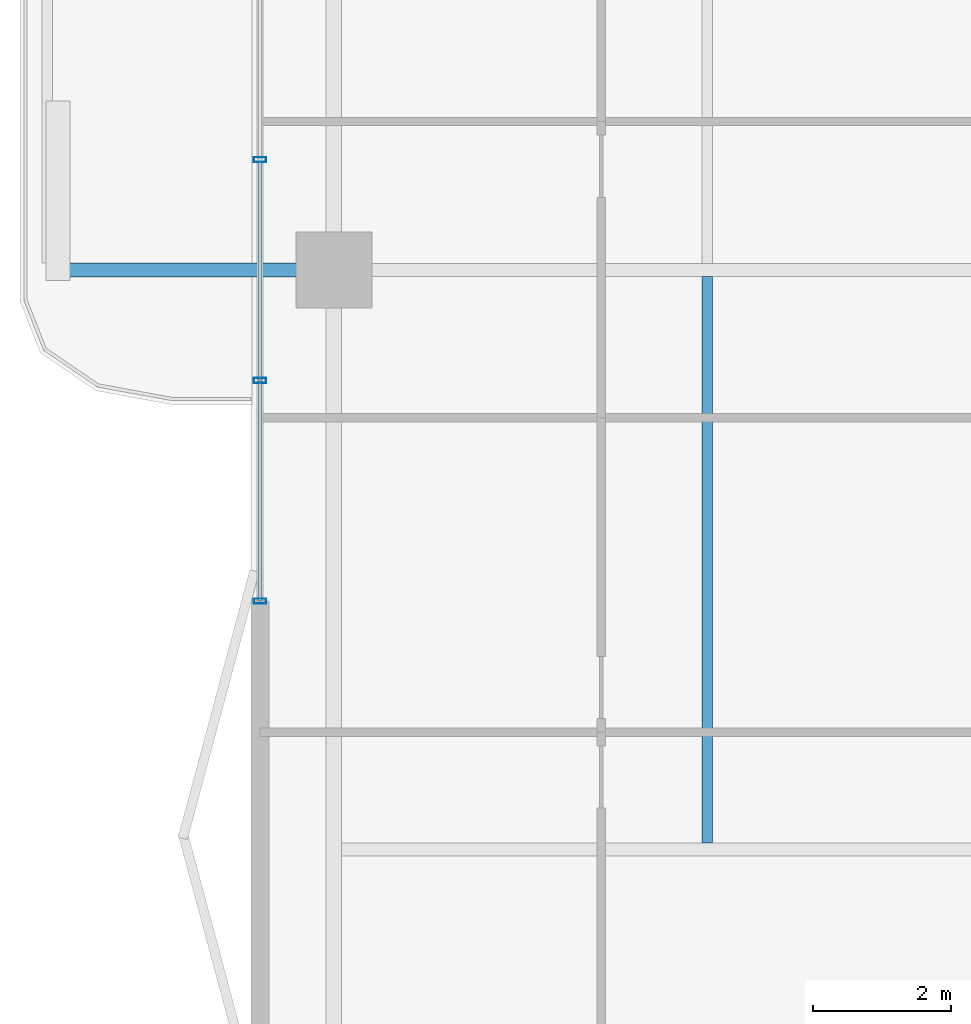
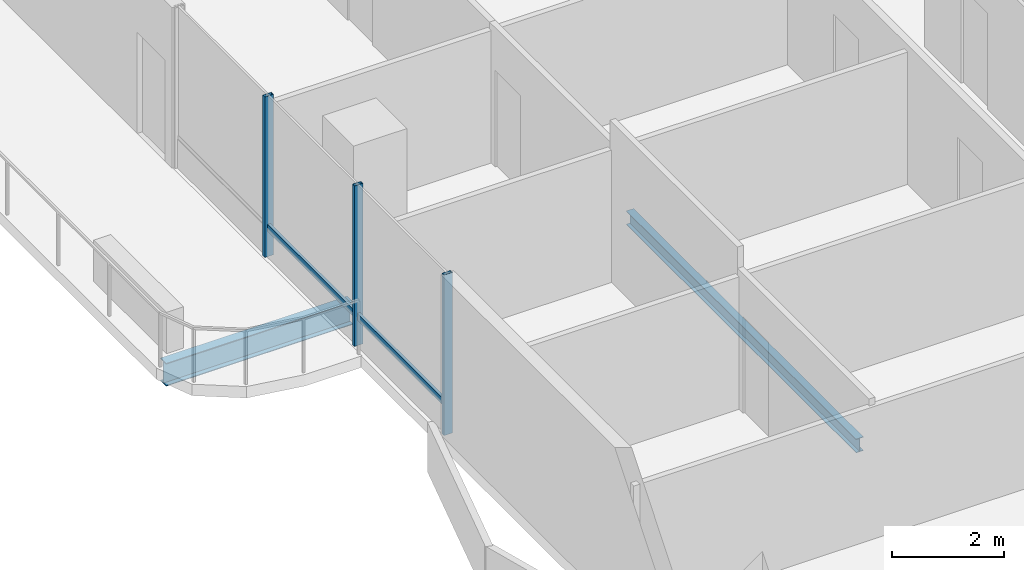
# One storey, part 4 of 23: 5 members, 2 beams, 1 element without a shape of its own.
"""IFC4 building model written with IfcOpenShell, lengths in metres."""

from ifc_helpers import new_model, si_unit, direction, frame, origin, origin_2d, place, context, subcontext, project, spatial, hollow_rectangle, i_section, extrude, material, layer, layer_set, material_profile, profile_set, type_object, element, aggregate, save


model = new_model("IFC4")

# Units and contexts
model_context = context("Model", 3, precision=1e-05, world=origin(), true_north=direction((0.0, 1.0)))
body_context = subcontext(model_context, "Body", "Model", "MODEL_VIEW")
ifc_project = project(units=[si_unit("LENGTHUNIT", "METRE"), si_unit("AREAUNIT", "SQUARE_METRE"), si_unit("VOLUMEUNIT", "CUBIC_METRE"), si_unit("PLANEANGLEUNIT", "RADIAN"), si_unit("MASSUNIT", "GRAM", prefix="KILO")], contexts=[model_context])

# Site, building, storey
site_placement = place(None, origin())
site = spatial("IfcSite", under=ifc_project, at=site_placement, CompositionType="ELEMENT")
building_placement = place(site_placement, origin())
building = spatial("IfcBuilding", under=site, at=building_placement, Name="Belovzor Exchange Tower", CompositionType="ELEMENT")
storey_placement = place(building_placement, frame((0.0, 0.0, 229.949951171875)))
storey = spatial("IfcBuildingStorey", under=building, at=storey_placement, Name="L57", CompositionType="ELEMENT", Elevation=229.949951171875)

# Beams
ifc_material_1 = material(Name="Steel S355", Category="steel")
ifc_material_profile_1 = material_profile(ifc_material_1, i_section(OverallWidth=0.199951171875, OverallDepth=0.5, WebThickness=0.01025390625, FlangeThickness=0.01611328125, at=origin_2d()))
ifc_profile_set_1 = profile_set([ifc_material_profile_1], Name="Steel S355")
beam_type_1 = type_object("IfcBeamType", Name="Planted Balcony Cantilever Beam IPE 500", PredefinedType="BEAM", material=ifc_profile_set_1)
beam_1_placement = place(storey_placement, frame((2.697021484375, 28.800048828125, -0.5), z_axis=(-1.0, 0.0, 0.0), x_axis=(0.0, -1.0, 0.0)))
element("IfcBeam", 1, at=beam_1_placement, inside=storey, type_object=beam_type_1, Name="BC-500 Planted Balcony Cantilever Beam IPE 500", PredefinedType="BEAM", context=body_context, shape_type="SweptSolid", body=[
    extrude(i_section(OverallWidth=0.199951171875, OverallDepth=0.5, WebThickness=0.01025390625, FlangeThickness=0.01611328125, at=origin_2d()), origin(), (0.0, 0.0, 1.0), 3.85009765625),
])
ifc_material_2 = material(Name="Steel S355", Category="steel")
ifc_material_profile_2 = material_profile(ifc_material_2, i_section(OverallWidth=0.14990234375, OverallDepth=0.300048828125, WebThickness=0.007080078125, FlangeThickness=0.0107421875, at=origin_2d()))
ifc_profile_set_2 = profile_set([ifc_material_profile_2], Name="Steel S355")
beam_type_2 = type_object("IfcBeamType", Name="Secondary Trim Floor Joist IPE 300", PredefinedType="BEAM", material=ifc_profile_set_2)
beam_2_placement = place(storey_placement, frame((8.4130859375, 20.4951171875, -0.39990234375), z_axis=(0.0, 1.0, 0.0), x_axis=(-1.0, 0.0, 0.0)))
element("IfcBeam", 2, at=beam_2_placement, inside=storey, type_object=beam_type_2, Name="FJ-300 Secondary Trim Floor Joist IPE 300", PredefinedType="BEAM", context=body_context, shape_type="SweptSolid", body=[
    extrude(i_section(OverallWidth=0.14990234375, OverallDepth=0.300048828125, WebThickness=0.007080078125, FlangeThickness=0.0107421875, at=origin_2d()), origin(), (0.0, 0.0, 1.0), 8.2099609375),
])

# Curtain wall, members
ifc_material_3 = material(Name="Anodised Aluminium Framing", Category="aluminium")
ifc_layer = layer(ifc_material_3, 0.179931640625)
ifc_layer_set = layer_set([ifc_layer], Name="Anodised Aluminium Framing")
curtain_wall_type = type_object("IfcCurtainWallType", Name="Recessed Loggia Low-Iron Triple-Glazed Curtain Wall", PredefinedType="NOTDEFINED", material=ifc_layer_set)
curtain_wall_placement = place(storey_placement, origin())
curtain_wall = element("IfcCurtainWall", 3, at=curtain_wall_placement, inside=storey, type_object=curtain_wall_type, Name="CW3 Recessed Loggia Low-Iron Triple-Glazed Curtain Wall L57", PredefinedType="NOTDEFINED")
ifc_material_4 = material(Name="Steel S355", Category="steel")
ifc_material_profile_3 = material_profile(ifc_material_4, hollow_rectangle(XDim=0.074951171875, YDim=0.179931640625, WallThickness=0.0048828125, at=origin_2d()))
ifc_profile_set_3 = profile_set([ifc_material_profile_3], Name="Steel S355")
member_type_1 = type_object("IfcMemberType", Name="Thermally Broken Curtain Wall Mullion 180x75", PredefinedType="MULLION", material=ifc_profile_set_3)
member_1_placement = place(storey_placement, frame((1.929931640625, 24.0, 0.0), z_axis=(0.0, 0.0, 1.0), x_axis=(0.0, 1.0, 0.0)))
member_1 = element("IfcMember", 4, at=member_1_placement, type_object=member_type_1, Name="CW-M180 Curtain Wall Mullion 1", PredefinedType="MULLION", context=body_context, shape_type="SweptSolid", body=[
    extrude(hollow_rectangle(XDim=0.074951171875, YDim=0.179931640625, WallThickness=0.0048828125, at=origin_2d()), origin(), (0.0, 0.0, 1.0), 3.5),
])
member_2_placement = place(storey_placement, frame((1.929931640625, 27.199951171875, 0.0), z_axis=(0.0, 0.0, 1.0), x_axis=(0.0, 1.0, 0.0)))
member_2 = element("IfcMember", 5, at=member_2_placement, type_object=member_type_1, Name="CW-M180 Curtain Wall Mullion 2", PredefinedType="MULLION", context=body_context, shape_type="SweptSolid", body=[
    extrude(hollow_rectangle(XDim=0.074951171875, YDim=0.179931640625, WallThickness=0.0048828125, at=origin_2d()), origin(), (0.0, 0.0, 1.0), 3.5),
])
member_3_placement = place(storey_placement, frame((1.929931640625, 30.39990234375, 0.0), z_axis=(0.0, 0.0, 1.0), x_axis=(0.0, 1.0, 0.0)))
member_3 = element("IfcMember", 6, at=member_3_placement, type_object=member_type_1, Name="CW-M180 Curtain Wall Mullion 3", PredefinedType="MULLION", context=body_context, shape_type="SweptSolid", body=[
    extrude(hollow_rectangle(XDim=0.074951171875, YDim=0.179931640625, WallThickness=0.0048828125, at=origin_2d()), origin(), (0.0, 0.0, 1.0), 3.5),
])
ifc_material_5 = material(Name="Steel S355", Category="steel")
ifc_material_profile_4 = material_profile(ifc_material_5, hollow_rectangle(XDim=0.06005859375, YDim=0.14990234375, WallThickness=0.00390625, at=origin_2d()))
ifc_profile_set_4 = profile_set([ifc_material_profile_4], Name="Steel S355")
member_type_2 = type_object("IfcMemberType", Name="Thermally Broken Curtain Wall Transom 150x60", PredefinedType="USERDEFINED", material=ifc_profile_set_4)
member_4_placement = place(storey_placement, frame((1.929931640625, 24.008056640625, 0.630126953125), z_axis=(0.0, 1.0, 0.0), x_axis=(-1.0, 0.0, 0.0)))
member_4 = element("IfcMember", 7, at=member_4_placement, type_object=member_type_2, Name="CW-T150 Curtain Wall Transom 1", ObjectType="TRANSOM", PredefinedType="USERDEFINED", context=body_context, shape_type="SweptSolid", body=[
    extrude(hollow_rectangle(XDim=0.06005859375, YDim=0.14990234375, WallThickness=0.00390625, at=origin_2d()), origin(), (0.0, 0.0, 1.0), 3.183837890625),
])
member_5_placement = place(storey_placement, frame((1.929931640625, 27.2080078125, 0.630126953125), z_axis=(0.0, 1.0, 0.0), x_axis=(-1.0, 0.0, 0.0)))
member_5 = element("IfcMember", 8, at=member_5_placement, type_object=member_type_2, Name="CW-T150 Curtain Wall Transom 2", ObjectType="TRANSOM", PredefinedType="USERDEFINED", context=body_context, shape_type="SweptSolid", body=[
    extrude(hollow_rectangle(XDim=0.06005859375, YDim=0.14990234375, WallThickness=0.00390625, at=origin_2d()), origin(), (0.0, 0.0, 1.0), 3.18408203125),
])
aggregate(curtain_wall, [member_1, member_2, member_3, member_4, member_5])

save(model, "model.ifc")
